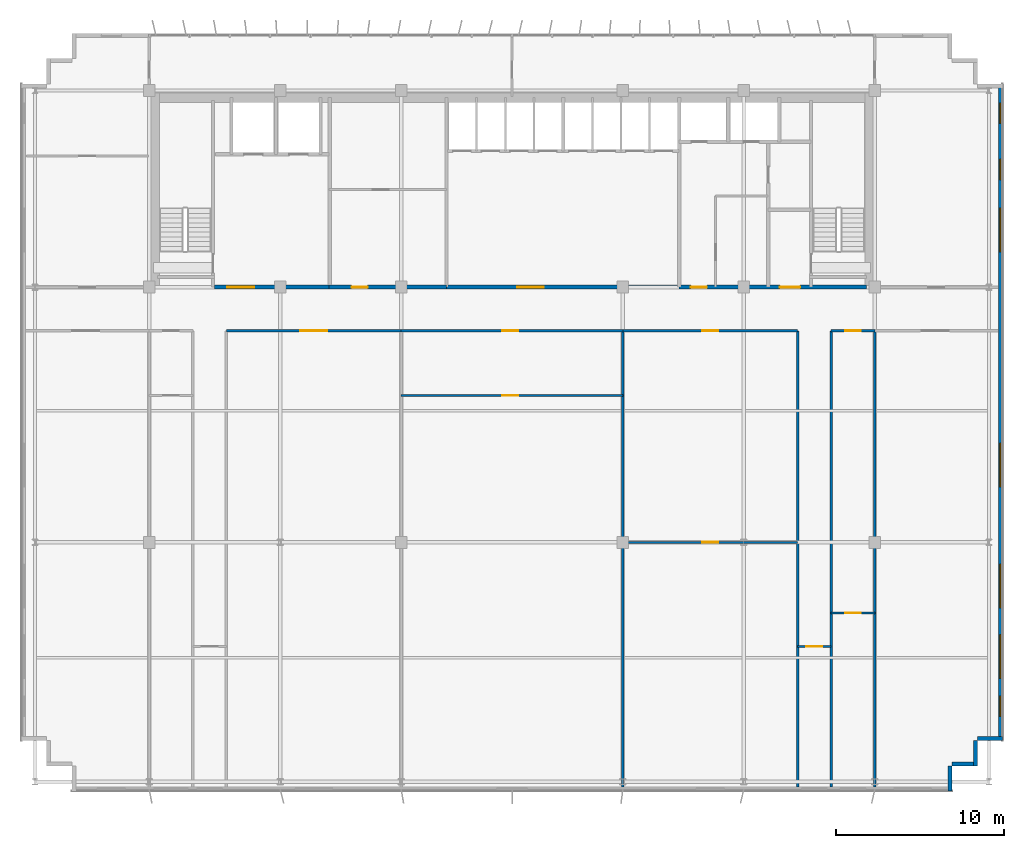
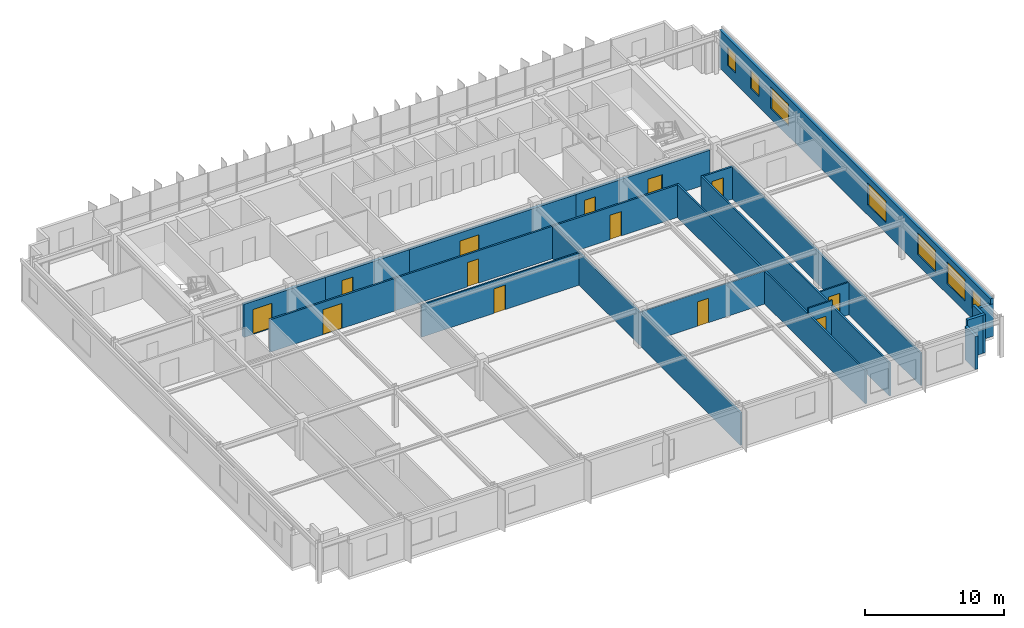
# One storey, part 15 of 19: 21 walls, 13 doors, 7 windows, 20 openings.
"""IFC4 building model written with IfcOpenShell, lengths in metres."""

from ifc_helpers import new_model, si_unit, direction, frame, frame_2d, origin, place, context, subcontext, project, spatial, rectangle, extrude, source, transform, mapped, material, layer, layer_set, type_object, element, fill, save


model = new_model("IFC4")

# Units and contexts
model_context = context("Model", 3, precision=1e-05, world=origin(), true_north=direction((0.0, 1.0)))
body_context = subcontext(model_context, "Body", "Model", "MODEL_VIEW")
ifc_project = project(units=[si_unit("LENGTHUNIT", "METRE"), si_unit("AREAUNIT", "SQUARE_METRE"), si_unit("VOLUMEUNIT", "CUBIC_METRE"), si_unit("PLANEANGLEUNIT", "RADIAN"), si_unit("MASSUNIT", "GRAM", prefix="KILO")], contexts=[model_context])

# Site, building, storey
site_placement = place(None, origin())
site = spatial("IfcSite", under=ifc_project, at=site_placement, CompositionType="ELEMENT")
building_placement = place(site_placement, origin())
building = spatial("IfcBuilding", under=site, at=building_placement, Name="Trelvane Seafront Commons", CompositionType="ELEMENT")
storey_placement = place(building_placement, frame((0.0, 0.0, 215.699951171875)))
storey = spatial("IfcBuildingStorey", under=building, at=storey_placement, Name="L56", CompositionType="ELEMENT", Elevation=215.699951171875)

# Wall, openings, windows
ifc_material_1 = material(Name="Precast concrete C40/50", Category="concrete")
ifc_layer_1 = layer(ifc_material_1, 0.239990234375, Name="ARCH-WALL-EXT240")
ifc_layer_set_1 = layer_set([ifc_layer_1], Name="Precast concrete C40/50")
wall_type_1 = type_object("IfcWallType", Name="ARCH-WALL-EXT240", PredefinedType="SOLIDWALL", material=ifc_layer_set_1)
wall_1_placement = place(storey_placement, frame((66.280029296875, 45.5, 0.0), z_axis=(0.0, 0.0, 1.0), x_axis=(0.0, -1.0, 0.0)))
wall_1 = element("IfcWall", 1, at=wall_1_placement, inside=storey, type_object=wall_type_1, Name="EW-L56-01134", PredefinedType="SOLIDWALL", context=body_context, shape_type="SweptSolid", body=[
    extrude(rectangle(XDim=39.10009765625, YDim=0.239990234375, at=frame_2d((19.550048828125, 0.0))), origin(), (0.0, 0.0, 1.0), 3.360107421875),
])
opening_1_placement = place(wall_1_placement, frame((36.449951171875, 0.0, 0.919921875)))
opening_1 = element("IfcOpeningElement", 2, at=opening_1_placement, cuts=wall_1, Name="Opening W05", PredefinedType="OPENING", context=body_context, shape_type="SweptSolid", body=[
    extrude(rectangle(XDim=1.199951171875, YDim=1.64990234375, at=frame_2d((0.60009765625, 0.824951171875))), frame((0.0, 0.1298828125, 0.0), z_axis=(0.0, -1.0, 0.0), x_axis=(1.0, 0.0, 0.0)), (0.0, 0.0, 1.0), 0.260009765625),
])
opening_2_placement = place(wall_1_placement, frame((32.800048828125, 0.0, 0.919921875)))
opening_2 = element("IfcOpeningElement", 3, at=opening_2_placement, cuts=wall_1, Name="Opening W04", PredefinedType="OPENING", context=body_context, shape_type="SweptSolid", body=[
    extrude(rectangle(XDim=2.60009765625, YDim=1.89990234375, at=frame_2d((1.300048828125, 0.949951171875))), frame((0.0, 0.1298828125, 0.0), z_axis=(0.0, -1.0, 0.0), x_axis=(1.0, 0.0, 0.0)), (0.0, 0.0, 1.0), 0.260009765625),
])
opening_3_placement = place(wall_1_placement, frame((28.60009765625, 0.0, 0.919921875)))
opening_3 = element("IfcOpeningElement", 4, at=opening_3_placement, cuts=wall_1, Name="Opening W04", PredefinedType="OPENING", context=body_context, shape_type="SweptSolid", body=[
    extrude(rectangle(XDim=2.60009765625, YDim=1.89990234375, at=frame_2d((1.300048828125, 0.949951171875))), frame((0.0, 0.1298828125, 0.0), z_axis=(0.0, -1.0, 0.0), x_axis=(1.0, 0.0, 0.0)), (0.0, 0.0, 1.0), 0.260009765625),
])
opening_4_placement = place(wall_1_placement, frame((21.39990234375, 0.0, 0.919921875)))
opening_4 = element("IfcOpeningElement", 5, at=opening_4_placement, cuts=wall_1, Name="Opening W04", PredefinedType="OPENING", context=body_context, shape_type="SweptSolid", body=[
    extrude(rectangle(XDim=2.60009765625, YDim=1.89990234375, at=frame_2d((1.300048828125, 0.949951171875))), frame((0.0, 0.1298828125, 0.0), z_axis=(0.0, -1.0, 0.0), x_axis=(1.0, 0.0, 0.0)), (0.0, 0.0, 1.0), 0.260009765625),
])
opening_5_placement = place(wall_1_placement, frame((7.39990234375, 0.0, 0.919921875)))
opening_5 = element("IfcOpeningElement", 6, at=opening_5_placement, cuts=wall_1, Name="Opening W04", PredefinedType="OPENING", context=body_context, shape_type="SweptSolid", body=[
    extrude(rectangle(XDim=2.60009765625, YDim=1.89990234375, at=frame_2d((1.300048828125, 0.949951171875))), frame((0.0, 0.1298828125, 0.0), z_axis=(0.0, -1.0, 0.0), x_axis=(1.0, 0.0, 0.0)), (0.0, 0.0, 1.0), 0.260009765625),
])
opening_6_placement = place(wall_1_placement, frame((4.5, 0.0, 0.919921875)))
opening_6 = element("IfcOpeningElement", 7, at=opening_6_placement, cuts=wall_1, Name="Opening W05", PredefinedType="OPENING", context=body_context, shape_type="SweptSolid", body=[
    extrude(rectangle(XDim=1.199951171875, YDim=1.64990234375, at=frame_2d((0.60009765625, 0.824951171875))), frame((0.0, 0.1298828125, 0.0), z_axis=(0.0, -1.0, 0.0), x_axis=(1.0, 0.0, 0.0)), (0.0, 0.0, 1.0), 0.260009765625),
])
opening_7_placement = place(wall_1_placement, frame((1.14990234375, 0.0, 0.919921875)))
opening_7 = element("IfcOpeningElement", 8, at=opening_7_placement, cuts=wall_1, Name="Opening W05", PredefinedType="OPENING", context=body_context, shape_type="SweptSolid", body=[
    extrude(rectangle(XDim=1.199951171875, YDim=1.64990234375, at=frame_2d((0.60009765625, 0.824951171875))), frame((0.0, 0.1298828125, 0.0), z_axis=(0.0, -1.0, 0.0), x_axis=(1.0, 0.0, 0.0)), (0.0, 0.0, 1.0), 0.260009765625),
])
ifc_material_2 = material(Name="Low-E coastal double glazing", Category="glass")
window_type_1 = type_object("IfcWindowType", Name="ARCH-WIN-W04", PartitioningType="SINGLE_PANEL", PredefinedType="WINDOW", material=ifc_material_2)
shared_shape_1 = source(origin(), body_context, "Body", "SweptSolid", [
    extrude(rectangle(XDim=2.60009765625, YDim=1.89990234375, at=frame_2d((1.300048828125, 0.949951171875))), frame((0.0, 0.030029296875, 0.0), z_axis=(0.0, -1.0, 0.0), x_axis=(1.0, 0.0, 0.0)), (0.0, 0.0, 1.0), 0.06005859375),
])
window_1_placement = place(opening_2_placement, origin())
window_1 = element("IfcWindow", 9, at=window_1_placement, inside=storey, type_object=window_type_1, Name="WIN-L56-EW-01367", OverallHeight=1.89990234375, OverallWidth=2.60009765625, PartitioningType="SINGLE_PANEL", PredefinedType="WINDOW", context=body_context, shape_type="MappedRepresentation", body=[
    mapped(shared_shape_1, transform((0.0, 0.0, 0.0), x_axis=(1.0, 0.0, 0.0), y_axis=(0.0, 1.0, 0.0), z_axis=(0.0, 0.0, 1.0), scale=1.0)),
])
fill(opening_2, window_1)
window_2_placement = place(opening_3_placement, origin())
window_2 = element("IfcWindow", 10, at=window_2_placement, inside=storey, type_object=window_type_1, Name="WIN-L56-EW-01368", OverallHeight=1.89990234375, OverallWidth=2.60009765625, PartitioningType="SINGLE_PANEL", PredefinedType="WINDOW", context=body_context, shape_type="MappedRepresentation", body=[
    mapped(shared_shape_1, transform((0.0, 0.0, 0.0), x_axis=(1.0, 0.0, 0.0), y_axis=(0.0, 1.0, 0.0), z_axis=(0.0, 0.0, 1.0), scale=1.0)),
])
fill(opening_3, window_2)
window_3_placement = place(opening_4_placement, origin())
window_3 = element("IfcWindow", 11, at=window_3_placement, inside=storey, type_object=window_type_1, Name="WIN-L56-EW-01369", OverallHeight=1.89990234375, OverallWidth=2.60009765625, PartitioningType="SINGLE_PANEL", PredefinedType="WINDOW", context=body_context, shape_type="MappedRepresentation", body=[
    mapped(shared_shape_1, transform((0.0, 0.0, 0.0), x_axis=(1.0, 0.0, 0.0), y_axis=(0.0, 1.0, 0.0), z_axis=(0.0, 0.0, 1.0), scale=1.0)),
])
fill(opening_4, window_3)
window_4_placement = place(opening_5_placement, origin())
window_4 = element("IfcWindow", 12, at=window_4_placement, inside=storey, type_object=window_type_1, Name="WIN-L56-EW-01370", OverallHeight=1.89990234375, OverallWidth=2.60009765625, PartitioningType="SINGLE_PANEL", PredefinedType="WINDOW", context=body_context, shape_type="MappedRepresentation", body=[
    mapped(shared_shape_1, transform((0.0, 0.0, 0.0), x_axis=(1.0, 0.0, 0.0), y_axis=(0.0, 1.0, 0.0), z_axis=(0.0, 0.0, 1.0), scale=1.0)),
])
fill(opening_5, window_4)
window_type_2 = type_object("IfcWindowType", Name="ARCH-WIN-W05", PartitioningType="SINGLE_PANEL", PredefinedType="WINDOW", material=ifc_material_2)
shared_shape_2 = source(origin(), body_context, "Body", "SweptSolid", [
    extrude(rectangle(XDim=1.199951171875, YDim=1.64990234375, at=frame_2d((0.60009765625, 0.824951171875))), frame((0.0, 0.030029296875, 0.0), z_axis=(0.0, -1.0, 0.0), x_axis=(1.0, 0.0, 0.0)), (0.0, 0.0, 1.0), 0.06005859375),
])
window_5_placement = place(opening_1_placement, origin())
window_5 = element("IfcWindow", 13, at=window_5_placement, inside=storey, type_object=window_type_2, Name="WIN-L56-EW-01366", OverallHeight=1.64990234375, OverallWidth=1.199951171875, PartitioningType="SINGLE_PANEL", PredefinedType="WINDOW", context=body_context, shape_type="MappedRepresentation", body=[
    mapped(shared_shape_2, transform((0.0, 0.0, 0.0), x_axis=(1.0, 0.0, 0.0), y_axis=(0.0, 1.0, 0.0), z_axis=(0.0, 0.0, 1.0), scale=1.0)),
])
fill(opening_1, window_5)
window_6_placement = place(opening_6_placement, origin())
window_6 = element("IfcWindow", 14, at=window_6_placement, inside=storey, type_object=window_type_2, Name="WIN-L56-EW-01371", OverallHeight=1.64990234375, OverallWidth=1.199951171875, PartitioningType="SINGLE_PANEL", PredefinedType="WINDOW", context=body_context, shape_type="MappedRepresentation", body=[
    mapped(shared_shape_2, transform((0.0, 0.0, 0.0), x_axis=(1.0, 0.0, 0.0), y_axis=(0.0, 1.0, 0.0), z_axis=(0.0, 0.0, 1.0), scale=1.0)),
])
fill(opening_6, window_6)
window_7_placement = place(opening_7_placement, origin())
window_7 = element("IfcWindow", 15, at=window_7_placement, inside=storey, type_object=window_type_2, Name="WIN-L56-EW-01372", OverallHeight=1.64990234375, OverallWidth=1.199951171875, PartitioningType="SINGLE_PANEL", PredefinedType="WINDOW", context=body_context, shape_type="MappedRepresentation", body=[
    mapped(shared_shape_2, transform((0.0, 0.0, 0.0), x_axis=(1.0, 0.0, 0.0), y_axis=(0.0, 1.0, 0.0), z_axis=(0.0, 0.0, 1.0), scale=1.0)),
])
fill(opening_7, window_7)

# Walls
wall_2_placement = place(storey_placement, frame((66.39990234375, 6.52001953125, 0.0), z_axis=(0.0, 0.0, 1.0), x_axis=(-1.0, 0.0, 0.0)))
element("IfcWall", 16, at=wall_2_placement, inside=storey, type_object=wall_type_1, Name="EW-L56-01135", PredefinedType="SOLIDWALL", context=body_context, shape_type="SweptSolid", body=[
    extrude(rectangle(XDim=1.5, YDim=0.239990234375, at=frame_2d((0.75, 0.0))), origin(), (0.0, 0.0, 1.0), 2.860107421875),
])
for number, where, z_axis, x_axis, name in (
    (17, (64.780029296875, 6.39990234375, 0.0), (0.0, 0.0, 1.0), (0.0, -1.0, 0.0), "EW-L56-01136"),
    (18, (64.89990234375, 5.02001953125, 0.0), (0.0, 0.0, 1.0), (-1.0, 0.0, 0.0), "EW-L56-01137"),
):
    element("IfcWall", number, at=place(storey_placement, frame(where, z_axis=z_axis, x_axis=x_axis)), inside=storey, type_object=wall_type_1, Name=name, PredefinedType="SOLIDWALL", context=body_context, shape_type="SweptSolid", body=[
        extrude(rectangle(XDim=1.5, YDim=0.239990234375, at=frame_2d((0.75, 0.0))), origin(), (0.0, 0.0, 1.0), 3.360107421875),
    ])
wall_3_placement = place(storey_placement, frame((63.280029296875, 4.89990234375, 0.0), z_axis=(0.0, 0.0, 1.0), x_axis=(0.0, -1.0, 0.0)))
element("IfcWall", 19, at=wall_3_placement, inside=storey, type_object=wall_type_1, Name="EW-L56-01138", PredefinedType="SOLIDWALL", context=body_context, shape_type="SweptSolid", body=[
    extrude(rectangle(XDim=1.5, YDim=0.239990234375, at=frame_2d((0.75, 0.0))), origin(), (0.0, 0.0, 1.0), 2.91015625),
])

# Wall, opening, door
ifc_material_3 = material(Name="Concrete C40/50", Category="concrete")
ifc_layer_2 = layer(ifc_material_3, 0.25, Name="ARCH-WALL-FIRE250")
ifc_layer_set_2 = layer_set([ifc_layer_2], Name="Concrete C40/50")
wall_type_2 = type_object("IfcWallType", Name="ARCH-WALL-FIRE250", PredefinedType="PARTITIONING", material=ifc_layer_set_2)
wall_4_placement = place(storey_placement, frame((19.5, 33.39990234375, 0.0), z_axis=(0.0, 0.0, 1.0), x_axis=(1.0, 0.0, 0.0)))
wall_4 = element("IfcWall", 20, at=wall_4_placement, inside=storey, type_object=wall_type_2, Name="W-L56-CS-FFL-013", PredefinedType="PARTITIONING", context=body_context, shape_type="SweptSolid", body=[
    extrude(rectangle(XDim=6.800048828125, YDim=0.25, at=frame_2d((3.39990234375, 0.0))), origin(), (0.0, 0.0, 1.0), 2.91015625),
])
opening_8_placement = place(wall_4_placement, frame((0.75, 0.0, 0.0)))
opening_8 = element("IfcOpeningElement", 21, at=opening_8_placement, cuts=wall_4, Name="Opening FD-L56-05", PredefinedType="OPENING", context=body_context, shape_type="SweptSolid", body=[
    extrude(rectangle(XDim=1.60009765625, YDim=2.199951171875, at=frame_2d((0.800048828125, 1.10009765625))), frame((0.0, 0.135009765625, 0.0), z_axis=(0.0, -1.0, 0.0), x_axis=(1.0, 0.0, 0.0)), (0.0, 0.0, 1.0), 0.27001953125),
])
ifc_material_4 = material(Name="Powder-coated aluminium frame", Category="aluminium")
door_type_1 = type_object("IfcDoorType", Name="ARCH-DR-FD60-1600", OperationType="DOUBLE_DOOR_SINGLE_SWING", PredefinedType="DOOR", material=ifc_material_4)
shared_shape_3 = source(origin(), body_context, "Body", "SweptSolid", [
    extrude(rectangle(XDim=1.60009765625, YDim=2.199951171875, at=frame_2d((0.800048828125, 1.10009765625))), frame((0.0, 0.02490234375, 0.0), z_axis=(0.0, -1.0, 0.0), x_axis=(1.0, 0.0, 0.0)), (0.0, 0.0, 1.0), 0.050048828125),
])
door_1_placement = place(opening_8_placement, origin())
door_1 = element("IfcDoor", 22, at=door_1_placement, inside=storey, type_object=door_type_1, Name="L56 Firefighting Lift Lobby Double Fire Door", OperationType="DOUBLE_DOOR_SINGLE_SWING", OverallHeight=2.199951171875, OverallWidth=1.60009765625, PredefinedType="DOOR", context=body_context, shape_type="MappedRepresentation", body=[
    mapped(shared_shape_3, transform((0.0, 0.0, 0.0), x_axis=(1.0, 0.0, 0.0), y_axis=(0.0, 1.0, 0.0), z_axis=(0.0, 0.0, 1.0), scale=1.0)),
])
fill(opening_8, door_1)

wall_5_placement = place(storey_placement, frame((26.300048828125, 33.39990234375, 0.0), z_axis=(0.0, 0.0, 1.0), x_axis=(1.0, 0.0, 0.0)))
wall_5 = element("IfcWall", 23, at=wall_5_placement, inside=storey, type_object=wall_type_2, Name="W-L56-CS-FPL-026", PredefinedType="PARTITIONING", context=body_context, shape_type="SweptSolid", body=[
    extrude(rectangle(XDim=7.0, YDim=0.25, at=frame_2d((3.5, 0.0))), origin(), (0.0, 0.0, 1.0), 2.91015625),
])
opening_9_placement = place(wall_5_placement, frame((1.35009765625, 0.0, 0.0)))
opening_9 = element("IfcOpeningElement", 24, at=opening_9_placement, cuts=wall_5, Name="Opening D-L56-15", PredefinedType="OPENING", context=body_context, shape_type="SweptSolid", body=[
    extrude(rectangle(XDim=0.949951171875, YDim=2.14990234375, at=frame_2d((0.47509765625, 1.074951171875))), frame((0.0, 0.135009765625, 0.0), z_axis=(0.0, -1.0, 0.0), x_axis=(1.0, 0.0, 0.0)), (0.0, 0.0, 1.0), 0.27001953125),
])
ifc_material_5 = material(Name="Acoustic timber door leaf", Category="wood")
door_type_2 = type_object("IfcDoorType", Name="ARCH-DR-INT950", OperationType="NOTDEFINED", PredefinedType="DOOR", material=ifc_material_5)
shared_shape_4 = source(origin(), body_context, "Body", "SweptSolid", [
    extrude(rectangle(XDim=0.949951171875, YDim=2.14990234375, at=frame_2d((0.47509765625, 1.074951171875))), frame((0.0, 0.02490234375, 0.0), z_axis=(0.0, -1.0, 0.0), x_axis=(1.0, 0.0, 0.0)), (0.0, 0.0, 1.0), 0.050048828125),
])
door_2_placement = place(opening_9_placement, origin())
door_2 = element("IfcDoor", 25, at=door_2_placement, inside=storey, type_object=door_type_2, Name="L56 Floor Pantry Entrance Door", OperationType="SINGLE_SWING_LEFT", OverallHeight=2.14990234375, OverallWidth=0.949951171875, PredefinedType="DOOR", context=body_context, shape_type="MappedRepresentation", body=[
    mapped(shared_shape_4, transform((0.0, 0.0, 0.0), x_axis=(1.0, 0.0, 0.0), y_axis=(0.0, 1.0, 0.0), z_axis=(0.0, 0.0, 1.0), scale=1.0)),
])
fill(opening_9, door_2)

wall_6_placement = place(storey_placement, frame((33.300048828125, 33.39990234375, 0.0), z_axis=(0.0, 0.0, 1.0), x_axis=(1.0, 0.0, 0.0)))
wall_6 = element("IfcWall", 26, at=wall_6_placement, inside=storey, type_object=wall_type_2, Name="W-L56-CS-PAX-027", PredefinedType="PARTITIONING", context=body_context, shape_type="SweptSolid", body=[
    extrude(rectangle(XDim=13.849853515625, YDim=0.25, at=frame_2d((6.9248046875, 0.0))), origin(), (0.0, 0.0, 1.0), 2.91015625),
])
opening_10_placement = place(wall_6_placement, frame((4.199951171875, 0.0, 0.0)))
opening_10 = element("IfcOpeningElement", 27, at=opening_10_placement, cuts=wall_6, Name="Opening FD-L56-16", PredefinedType="OPENING", context=body_context, shape_type="SweptSolid", body=[
    extrude(rectangle(XDim=1.60009765625, YDim=2.199951171875, at=frame_2d((0.800048828125, 1.10009765625))), frame((0.0, 0.135009765625, 0.0), z_axis=(0.0, -1.0, 0.0), x_axis=(1.0, 0.0, 0.0)), (0.0, 0.0, 1.0), 0.27001953125),
])
door_3_placement = place(opening_10_placement, origin())
door_3 = element("IfcDoor", 28, at=door_3_placement, inside=storey, type_object=door_type_1, Name="L56 Passenger Lift Lobby Double Door", OperationType="DOUBLE_DOOR_SINGLE_SWING", OverallHeight=2.199951171875, OverallWidth=1.60009765625, PredefinedType="DOOR", context=body_context, shape_type="MappedRepresentation", body=[
    mapped(shared_shape_3, transform((0.0, 0.0, 0.0), x_axis=(1.0, 0.0, 0.0), y_axis=(0.0, 1.0, 0.0), z_axis=(0.0, 0.0, 1.0), scale=1.0)),
])
fill(opening_10, door_3)

# Wall, openings, doors
wall_7_placement = place(storey_placement, frame((47.14990234375, 33.39990234375, 0.0), z_axis=(0.0, 0.0, 1.0), x_axis=(1.0, 0.0, 0.0)))
wall_7 = element("IfcWall", 29, at=wall_7_placement, inside=storey, type_object=wall_type_2, Name="W-L56-CS-EAST-035", PredefinedType="PARTITIONING", context=body_context, shape_type="SweptSolid", body=[
    extrude(rectangle(XDim=11.150146484375, YDim=0.25, at=frame_2d((5.5751953125, 0.0))), origin(), (0.0, 0.0, 1.0), 2.91015625),
])
opening_11_placement = place(wall_7_placement, frame((0.699951171875, 0.0, 0.0)))
opening_11 = element("IfcOpeningElement", 30, at=opening_11_placement, cuts=wall_7, Name="Opening FD-L56-21", PredefinedType="OPENING", context=body_context, shape_type="SweptSolid", body=[
    extrude(rectangle(XDim=0.949951171875, YDim=2.14990234375, at=frame_2d((0.47509765625, 1.074951171875))), frame((0.0, 0.135009765625, 0.0), z_axis=(0.0, -1.0, 0.0), x_axis=(1.0, 0.0, 0.0)), (0.0, 0.0, 1.0), 0.27001953125),
])
opening_12_placement = place(wall_7_placement, frame((6.0, 0.0, 0.0)))
opening_12 = element("IfcOpeningElement", 31, at=opening_12_placement, cuts=wall_7, Name="Opening FD-L56-22", PredefinedType="OPENING", context=body_context, shape_type="SweptSolid", body=[
    extrude(rectangle(XDim=1.199951171875, YDim=2.14990234375, at=frame_2d((0.60009765625, 1.074951171875))), frame((0.0, 0.135009765625, 0.0), z_axis=(0.0, -1.0, 0.0), x_axis=(1.0, 0.0, 0.0)), (0.0, 0.0, 1.0), 0.27001953125),
])
door_type_3 = type_object("IfcDoorType", Name="ARCH-DR-FD60-950", OperationType="NOTDEFINED", PredefinedType="DOOR", material=ifc_material_4)
door_4_placement = place(opening_11_placement, origin())
door_4 = element("IfcDoor", 32, at=door_4_placement, inside=storey, type_object=door_type_3, Name="L56 Core Service Lobby Door", OperationType="SINGLE_SWING_LEFT", OverallHeight=2.14990234375, OverallWidth=0.949951171875, PredefinedType="DOOR", context=body_context, shape_type="MappedRepresentation", body=[
    mapped(shared_shape_4, transform((0.0, 0.0, 0.0), x_axis=(1.0, 0.0, 0.0), y_axis=(0.0, 1.0, 0.0), z_axis=(0.0, 0.0, 1.0), scale=1.0)),
])
fill(opening_11, door_4)
door_type_4 = type_object("IfcDoorType", Name="ARCH-DR-FD60-1200", OperationType="NOTDEFINED", PredefinedType="DOOR", material=ifc_material_4)
shared_shape_5 = source(origin(), body_context, "Body", "SweptSolid", [
    extrude(rectangle(XDim=1.199951171875, YDim=2.14990234375, at=frame_2d((0.60009765625, 1.074951171875))), frame((0.0, 0.02490234375, 0.0), z_axis=(0.0, -1.0, 0.0), x_axis=(1.0, 0.0, 0.0)), (0.0, 0.0, 1.0), 0.050048828125),
])
door_5_placement = place(opening_12_placement, origin())
door_5 = element("IfcDoor", 33, at=door_5_placement, inside=storey, type_object=door_type_4, Name="L56 East Stair Vestibule Fire Door", OperationType="SINGLE_SWING_RIGHT", OverallHeight=2.14990234375, OverallWidth=1.199951171875, PredefinedType="DOOR", context=body_context, shape_type="MappedRepresentation", body=[
    mapped(shared_shape_5, transform((0.0, 0.0, 0.0), x_axis=(1.0, 0.0, 0.0), y_axis=(0.0, 1.0, 0.0), z_axis=(0.0, 0.0, 1.0), scale=1.0)),
])
fill(opening_12, door_5)

# Wall, opening, door
ifc_material_6 = material(Name="Gypsum Drywall Acoustic Partition")
ifc_layer_3 = layer(ifc_material_6, 0.1201171875, Name="ARCH-WALL-PART120")
ifc_layer_set_3 = layer_set([ifc_layer_3], Name="Gypsum Drywall Acoustic Partition")
wall_type_3 = type_object("IfcWallType", Name="ARCH-WALL-PART120", PredefinedType="PARTITIONING", material=ifc_layer_set_3)
wall_8_placement = place(storey_placement, frame((30.60009765625, 26.949951171875, 0.0), z_axis=(0.0, 0.0, 1.0), x_axis=(1.0, 0.0, 0.0)))
wall_8 = element("IfcWall", 34, at=wall_8_placement, inside=storey, type_object=wall_type_3, Name="W-L56-U5-DIV-054", PredefinedType="PARTITIONING", context=body_context, shape_type="SweptSolid", body=[
    extrude(rectangle(XDim=13.199951171875, YDim=0.1201171875, at=frame_2d((6.60009765625, 0.0))), origin(), (0.0, 0.0, 1.0), 2.860107421875),
])
opening_13_placement = place(wall_8_placement, frame((6.033935546875, 0.0, 0.0)))
opening_13 = element("IfcOpeningElement", 35, at=opening_13_placement, cuts=wall_8, Name="Opening D-L56-35", PredefinedType="OPENING", context=body_context, shape_type="SweptSolid", body=[
    extrude(rectangle(XDim=0.949951171875, YDim=2.14990234375, at=frame_2d((0.47509765625, 1.074951171875))), frame((0.0, 0.070068359375, 0.0), z_axis=(0.0, -1.0, 0.0), x_axis=(1.0, 0.0, 0.0)), (0.0, 0.0, 1.0), 0.14013671875),
])
door_6_placement = place(opening_13_placement, origin())
door_6 = element("IfcDoor", 36, at=door_6_placement, inside=storey, type_object=door_type_2, Name="L56 Door 35", OperationType="SINGLE_SWING_LEFT", OverallHeight=2.14990234375, OverallWidth=0.949951171875, PredefinedType="DOOR", context=body_context, shape_type="MappedRepresentation", body=[
    mapped(shared_shape_4, transform((0.0, 0.0, 0.0), x_axis=(1.0, 0.0, 0.0), y_axis=(0.0, 1.0, 0.0), z_axis=(0.0, 0.0, 1.0), scale=1.0)),
])
fill(opening_13, door_6)

wall_9_placement = place(storey_placement, frame((43.800048828125, 18.199951171875, 0.0), z_axis=(0.0, 0.0, 1.0), x_axis=(1.0, 0.0, 0.0)))
wall_9 = element("IfcWall", 37, at=wall_9_placement, inside=storey, type_object=wall_type_3, Name="W-L56-U6-DIV-056", PredefinedType="PARTITIONING", context=body_context, shape_type="SweptSolid", body=[
    extrude(rectangle(XDim=10.39990234375, YDim=0.1201171875, at=frame_2d((5.199951171875, 0.0))), origin(), (0.0, 0.0, 1.0), 2.91015625),
])
opening_14_placement = place(wall_9_placement, frame((4.72509765625, 0.0, 0.0)))
opening_14 = element("IfcOpeningElement", 38, at=opening_14_placement, cuts=wall_9, Name="Opening D-L56-37", PredefinedType="OPENING", context=body_context, shape_type="SweptSolid", body=[
    extrude(rectangle(XDim=0.949951171875, YDim=2.14990234375, at=frame_2d((0.47509765625, 1.074951171875))), frame((0.0, 0.070068359375, 0.0), z_axis=(0.0, -1.0, 0.0), x_axis=(1.0, 0.0, 0.0)), (0.0, 0.0, 1.0), 0.14013671875),
])
door_7_placement = place(opening_14_placement, origin())
door_7 = element("IfcDoor", 39, at=door_7_placement, inside=storey, type_object=door_type_2, Name="L56 Door 37", OperationType="SINGLE_SWING_LEFT", OverallHeight=2.14990234375, OverallWidth=0.949951171875, PredefinedType="DOOR", context=body_context, shape_type="MappedRepresentation", body=[
    mapped(shared_shape_4, transform((0.0, 0.0, 0.0), x_axis=(1.0, 0.0, 0.0), y_axis=(0.0, 1.0, 0.0), z_axis=(0.0, 0.0, 1.0), scale=1.0)),
])
fill(opening_14, door_7)

wall_10_placement = place(storey_placement, frame((54.199951171875, 12.0, 0.0), z_axis=(0.0, 0.0, 1.0), x_axis=(1.0, 0.0, 0.0)))
wall_10 = element("IfcWall", 40, at=wall_10_placement, inside=storey, type_object=wall_type_3, Name="W-L56-ARM-END-7-059", PredefinedType="PARTITIONING", context=body_context, shape_type="SweptSolid", body=[
    extrude(rectangle(XDim=2.0, YDim=0.1201171875, at=frame_2d((1.0, 0.0))), origin(), (0.0, 0.0, 1.0), 3.360107421875),
])
opening_15_placement = place(wall_10_placement, frame((0.52001953125, 0.0, 0.0)))
opening_15 = element("IfcOpeningElement", 41, at=opening_15_placement, cuts=wall_10, Name="Opening D-L56-38", PredefinedType="OPENING", context=body_context, shape_type="SweptSolid", body=[
    extrude(rectangle(XDim=0.949951171875, YDim=2.14990234375, at=frame_2d((0.47509765625, 1.074951171875))), frame((0.0, 0.070068359375, 0.0), z_axis=(0.0, -1.0, 0.0), x_axis=(1.0, 0.0, 0.0)), (0.0, 0.0, 1.0), 0.14013671875),
])
door_8_placement = place(opening_15_placement, origin())
door_8 = element("IfcDoor", 42, at=door_8_placement, inside=storey, type_object=door_type_2, Name="L56 Door 38", OperationType="SINGLE_SWING_RIGHT", OverallHeight=2.14990234375, OverallWidth=0.949951171875, PredefinedType="DOOR", context=body_context, shape_type="MappedRepresentation", body=[
    mapped(shared_shape_4, transform((0.0, 0.0, 0.0), x_axis=(1.0, 0.0, 0.0), y_axis=(0.0, 1.0, 0.0), z_axis=(0.0, 0.0, 1.0), scale=1.0)),
])
fill(opening_15, door_8)

wall_11_placement = place(storey_placement, frame((56.199951171875, 14.0, 0.0), z_axis=(0.0, 0.0, 1.0), x_axis=(1.0, 0.0, 0.0)))
wall_11 = element("IfcWall", 43, at=wall_11_placement, inside=storey, type_object=wall_type_3, Name="W-L56-U8-DIV-061", PredefinedType="PARTITIONING", context=body_context, shape_type="SweptSolid", body=[
    extrude(rectangle(XDim=2.60009765625, YDim=0.1201171875, at=frame_2d((1.300048828125, 0.0))), origin(), (0.0, 0.0, 1.0), 2.860107421875),
])
opening_16_placement = place(wall_11_placement, frame((0.824951171875, 0.0, 0.0)))
opening_16 = element("IfcOpeningElement", 44, at=opening_16_placement, cuts=wall_11, Name="Opening D-L56-40", PredefinedType="OPENING", context=body_context, shape_type="SweptSolid", body=[
    extrude(rectangle(XDim=0.949951171875, YDim=2.14990234375, at=frame_2d((0.47509765625, 1.074951171875))), frame((0.0, 0.070068359375, 0.0), z_axis=(0.0, -1.0, 0.0), x_axis=(1.0, 0.0, 0.0)), (0.0, 0.0, 1.0), 0.14013671875),
])
door_9_placement = place(opening_16_placement, origin())
door_9 = element("IfcDoor", 45, at=door_9_placement, inside=storey, type_object=door_type_2, Name="L56 Door 40", OperationType="SINGLE_SWING_RIGHT", OverallHeight=2.14990234375, OverallWidth=0.949951171875, PredefinedType="DOOR", context=body_context, shape_type="MappedRepresentation", body=[
    mapped(shared_shape_4, transform((0.0, 0.0, 0.0), x_axis=(1.0, 0.0, 0.0), y_axis=(0.0, 1.0, 0.0), z_axis=(0.0, 0.0, 1.0), scale=1.0)),
])
fill(opening_16, door_9)

# Walls
ifc_layer_4 = layer(ifc_material_6, 0.14990234375, Name="ARCH-WALL-PART150")
ifc_layer_set_4 = layer_set([ifc_layer_4], Name="Gypsum Drywall Acoustic Partition")
wall_type_4 = type_object("IfcWallType", Name="ARCH-WALL-PART150", PredefinedType="PARTITIONING", material=ifc_layer_set_4)
for number, where, z_axis, x_axis, name in (
    (46, (43.800048828125, 3.625, 0.0), (0.0, 0.0, 1.0), (0.0, 1.0, 0.0), "W-L56-PW-5-044"),
    (47, (58.800048828125, 3.625, 0.0), (0.0, 0.0, 1.0), (0.0, 1.0, 0.0), "W-L56-PW-8-045"),
):
    element("IfcWall", number, at=place(storey_placement, frame(where, z_axis=z_axis, x_axis=x_axis)), inside=storey, type_object=wall_type_4, Name=name, PredefinedType="PARTITIONING", context=body_context, shape_type="SweptSolid", body=[
        extrude(rectangle(XDim=27.175048828125, YDim=0.14990234375, at=frame_2d((13.58740234375, 0.0))), origin(), (0.0, 0.0, 1.0), 2.860107421875),
    ])

# Wall, opening, door
wall_12_placement = place(storey_placement, frame((20.199951171875, 30.800048828125, 0.0), z_axis=(0.0, 0.0, 1.0), x_axis=(1.0, 0.0, 0.0)))
wall_12 = element("IfcWall", 48, at=wall_12_placement, inside=storey, type_object=wall_type_4, Name="W-L56-CS-BAY-4-052", PredefinedType="PARTITIONING", context=body_context, shape_type="SweptSolid", body=[
    extrude(rectangle(XDim=10.400146484375, YDim=0.14990234375, at=frame_2d((5.2001953125, 0.0))), origin(), (0.0, 0.0, 1.0), 2.860107421875),
])
opening_17_placement = place(wall_12_placement, frame((4.39990234375, 0.0, 0.0)))
opening_17 = element("IfcOpeningElement", 49, at=opening_17_placement, cuts=wall_12, Name="Opening D-L56-33", PredefinedType="OPENING", context=body_context, shape_type="SweptSolid", body=[
    extrude(rectangle(XDim=1.60009765625, YDim=2.199951171875, at=frame_2d((0.800048828125, 1.10009765625))), frame((0.0, 0.0849609375, 0.0), z_axis=(0.0, -1.0, 0.0), x_axis=(1.0, 0.0, 0.0)), (0.0, 0.0, 1.0), 0.169921875),
])
door_type_5 = type_object("IfcDoorType", Name="ARCH-DR-GLZ1600", OperationType="DOUBLE_DOOR_SINGLE_SWING", PredefinedType="DOOR", material=ifc_material_5)
door_10_placement = place(opening_17_placement, origin())
door_10 = element("IfcDoor", 50, at=door_10_placement, inside=storey, type_object=door_type_5, Name="L56 Commons Lounge 04 Door", OperationType="DOUBLE_DOOR_SINGLE_SWING", OverallHeight=2.199951171875, OverallWidth=1.60009765625, PredefinedType="DOOR", context=body_context, shape_type="MappedRepresentation", body=[
    mapped(shared_shape_3, transform((0.0, 0.0, 0.0), x_axis=(1.0, 0.0, 0.0), y_axis=(0.0, 1.0, 0.0), z_axis=(0.0, 0.0, 1.0), scale=1.0)),
])
fill(opening_17, door_10)

wall_13_placement = place(storey_placement, frame((30.60009765625, 30.800048828125, 0.0), z_axis=(0.0, 0.0, 1.0), x_axis=(1.0, 0.0, 0.0)))
wall_13 = element("IfcWall", 51, at=wall_13_placement, inside=storey, type_object=wall_type_4, Name="W-L56-CS-BAY-5-053", PredefinedType="PARTITIONING", context=body_context, shape_type="SweptSolid", body=[
    extrude(rectangle(XDim=13.199951171875, YDim=0.14990234375, at=frame_2d((6.60009765625, 0.0))), origin(), (0.0, 0.0, 1.0), 2.860107421875),
])
opening_18_placement = place(wall_13_placement, frame((6.033935546875, 0.0, 0.0)))
opening_18 = element("IfcOpeningElement", 52, at=opening_18_placement, cuts=wall_13, Name="Opening FD-L56-34", PredefinedType="OPENING", context=body_context, shape_type="SweptSolid", body=[
    extrude(rectangle(XDim=0.949951171875, YDim=2.14990234375, at=frame_2d((0.47509765625, 1.074951171875))), frame((0.0, 0.0849609375, 0.0), z_axis=(0.0, -1.0, 0.0), x_axis=(1.0, 0.0, 0.0)), (0.0, 0.0, 1.0), 0.169921875),
])
door_11_placement = place(opening_18_placement, origin())
door_11 = element("IfcDoor", 53, at=door_11_placement, inside=storey, type_object=door_type_3, Name="L56 Bay 05 Entrance Door", OperationType="SINGLE_SWING_RIGHT", OverallHeight=2.14990234375, OverallWidth=0.949951171875, PredefinedType="DOOR", context=body_context, shape_type="MappedRepresentation", body=[
    mapped(shared_shape_4, transform((0.0, 0.0, 0.0), x_axis=(1.0, 0.0, 0.0), y_axis=(0.0, 1.0, 0.0), z_axis=(0.0, 0.0, 1.0), scale=1.0)),
])
fill(opening_18, door_11)

wall_14_placement = place(storey_placement, frame((43.800048828125, 30.800048828125, 0.0), z_axis=(0.0, 0.0, 1.0), x_axis=(1.0, 0.0, 0.0)))
wall_14 = element("IfcWall", 54, at=wall_14_placement, inside=storey, type_object=wall_type_4, Name="W-L56-CS-BAY-6-055", PredefinedType="PARTITIONING", context=body_context, shape_type="SweptSolid", body=[
    extrude(rectangle(XDim=10.39990234375, YDim=0.14990234375, at=frame_2d((5.199951171875, 0.0))), origin(), (0.0, 0.0, 1.0), 2.860107421875),
])
opening_19_placement = place(wall_14_placement, frame((4.72509765625, 0.0, 0.0)))
opening_19 = element("IfcOpeningElement", 55, at=opening_19_placement, cuts=wall_14, Name="Opening FD-L56-36", PredefinedType="OPENING", context=body_context, shape_type="SweptSolid", body=[
    extrude(rectangle(XDim=0.949951171875, YDim=2.14990234375, at=frame_2d((0.47509765625, 1.074951171875))), frame((0.0, 0.0849609375, 0.0), z_axis=(0.0, -1.0, 0.0), x_axis=(1.0, 0.0, 0.0)), (0.0, 0.0, 1.0), 0.169921875),
])
door_12_placement = place(opening_19_placement, origin())
door_12 = element("IfcDoor", 56, at=door_12_placement, inside=storey, type_object=door_type_3, Name="L56 Bay 06 Entrance Door", OperationType="SINGLE_SWING_RIGHT", OverallHeight=2.14990234375, OverallWidth=0.949951171875, PredefinedType="DOOR", context=body_context, shape_type="MappedRepresentation", body=[
    mapped(shared_shape_4, transform((0.0, 0.0, 0.0), x_axis=(1.0, 0.0, 0.0), y_axis=(0.0, 1.0, 0.0), z_axis=(0.0, 0.0, 1.0), scale=1.0)),
])
fill(opening_19, door_12)

# Walls
for number, where, z_axis, x_axis, name in (
    (57, (54.199951171875, 3.625, 0.0), (0.0, 0.0, 1.0), (0.0, 1.0, 0.0), "W-L56-ARM-W-7-057"),
    (58, (56.199951171875, 3.625, 0.0), (0.0, 0.0, 1.0), (0.0, 1.0, 0.0), "W-L56-ARM-E-7-058"),
):
    element("IfcWall", number, at=place(storey_placement, frame(where, z_axis=z_axis, x_axis=x_axis)), inside=storey, type_object=wall_type_4, Name=name, PredefinedType="PARTITIONING", context=body_context, shape_type="SweptSolid", body=[
        extrude(rectangle(XDim=27.175048828125, YDim=0.14990234375, at=frame_2d((13.58740234375, 0.0))), origin(), (0.0, 0.0, 1.0), 2.91015625),
    ])

# Wall, opening, door
wall_15_placement = place(storey_placement, frame((56.199951171875, 30.800048828125, 0.0), z_axis=(0.0, 0.0, 1.0), x_axis=(1.0, 0.0, 0.0)))
wall_15 = element("IfcWall", 59, at=wall_15_placement, inside=storey, type_object=wall_type_4, Name="W-L56-CS-BAY-8-060", PredefinedType="PARTITIONING", context=body_context, shape_type="SweptSolid", body=[
    extrude(rectangle(XDim=2.60009765625, YDim=0.14990234375, at=frame_2d((1.300048828125, 0.0))), origin(), (0.0, 0.0, 1.0), 2.860107421875),
])
opening_20_placement = place(wall_15_placement, frame((0.824951171875, 0.0, 0.0)))
opening_20 = element("IfcOpeningElement", 60, at=opening_20_placement, cuts=wall_15, Name="Opening FD-L56-39", PredefinedType="OPENING", context=body_context, shape_type="SweptSolid", body=[
    extrude(rectangle(XDim=0.949951171875, YDim=2.14990234375, at=frame_2d((0.47509765625, 1.074951171875))), frame((0.0, 0.0849609375, 0.0), z_axis=(0.0, -1.0, 0.0), x_axis=(1.0, 0.0, 0.0)), (0.0, 0.0, 1.0), 0.169921875),
])
door_13_placement = place(opening_20_placement, origin())
door_13 = element("IfcDoor", 61, at=door_13_placement, inside=storey, type_object=door_type_3, Name="L56 Bay 08 Entrance Door", OperationType="SINGLE_SWING_LEFT", OverallHeight=2.14990234375, OverallWidth=0.949951171875, PredefinedType="DOOR", context=body_context, shape_type="MappedRepresentation", body=[
    mapped(shared_shape_4, transform((0.0, 0.0, 0.0), x_axis=(1.0, 0.0, 0.0), y_axis=(0.0, 1.0, 0.0), z_axis=(0.0, 0.0, 1.0), scale=1.0)),
])
fill(opening_20, door_13)

save(model, "model.ifc")
